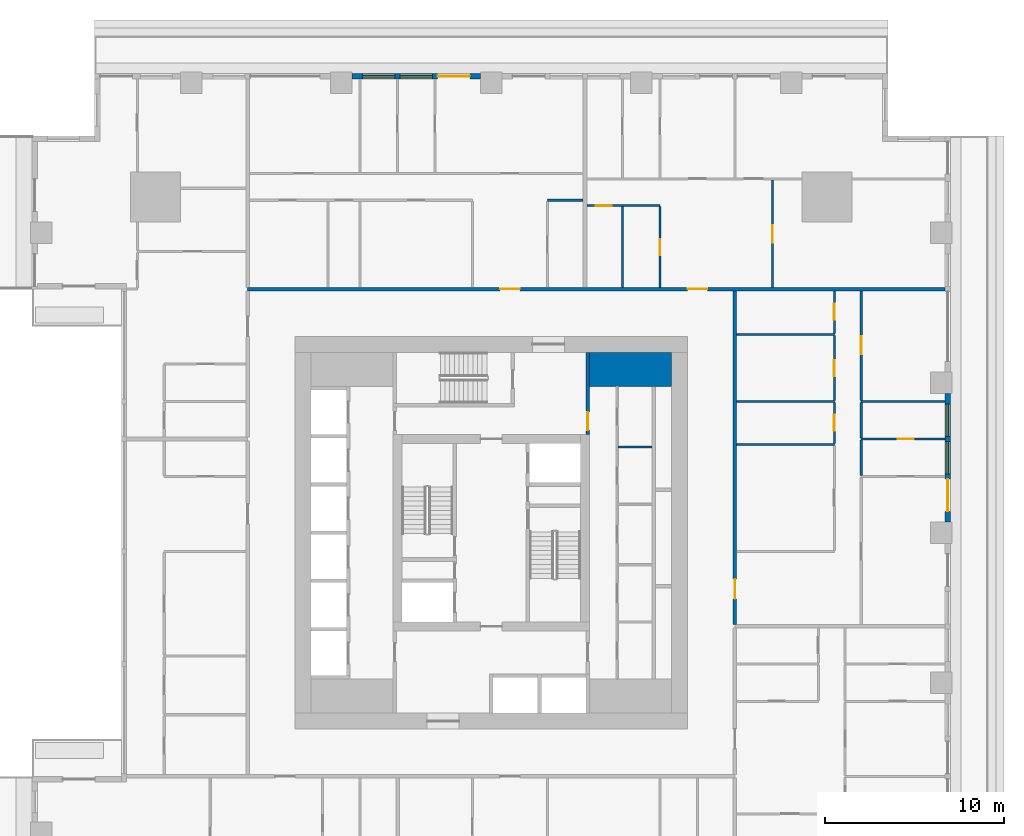
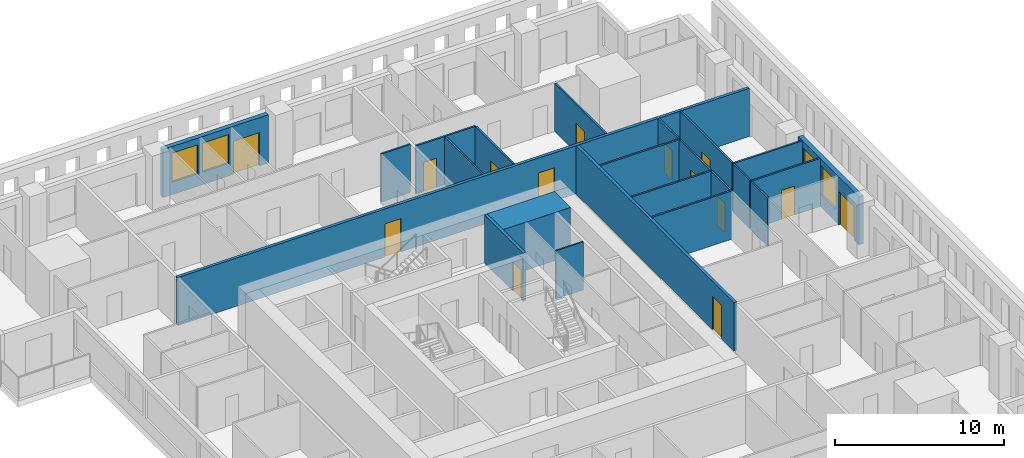
# One storey, part 8 of 15: 23 walls, 14 doors, 4 windows, 18 openings.
"""IFC4 building model written with IfcOpenShell, lengths in metres."""

from ifc_helpers import new_model, si_unit, direction, frame, frame_2d, origin, place, context, subcontext, project, spatial, rectangle, extrude, material, layer, layer_set, type_object, element, fill, save


model = new_model("IFC4")

# Units and contexts
model_context = context("Model", 3, precision=1e-05, world=origin(), true_north=direction((0.0, 1.0)))
body_context = subcontext(model_context, "Body", "Model", "MODEL_VIEW")
ifc_project = project(units=[si_unit("LENGTHUNIT", "METRE"), si_unit("AREAUNIT", "SQUARE_METRE"), si_unit("VOLUMEUNIT", "CUBIC_METRE"), si_unit("PLANEANGLEUNIT", "RADIAN"), si_unit("MASSUNIT", "GRAM", prefix="KILO")], contexts=[model_context])

# Site, building, storey
site_placement = place(None, origin())
site = spatial("IfcSite", under=ifc_project, at=site_placement, CompositionType="ELEMENT")
building_placement = place(site_placement, origin())
building = spatial("IfcBuilding", under=site, at=building_placement, Name="Khepri Terraces", CompositionType="ELEMENT")
storey_placement = place(building_placement, frame((0.0, 0.0, 118.199951171875)))
storey = spatial("IfcBuildingStorey", under=building, at=storey_placement, Name="L28", CompositionType="ELEMENT", Elevation=118.199951171875)

# Walls
ifc_material_1 = material(Name="Concrete C70/85", Category="concrete")
ifc_layer_1 = layer(ifc_material_1, 1.89990234375, Name="Concrete C70/85", Category="concrete")
ifc_layer_set_1 = layer_set([ifc_layer_1], Name="Concrete C70/85")
wall_type_1 = type_object("IfcWallType", Name="Core wall 1900 C70/85", PredefinedType="SHEAR", material=ifc_layer_set_1)
wall_1_placement = place(storey_placement, frame((5.5, 9.14990234375, 0.0), z_axis=(0.0, 0.0, 1.0), x_axis=(1.0, 0.0, 0.0)))
element("IfcWall", 1, at=wall_1_placement, inside=storey, type_object=wall_type_1, Name="Core wall PR04 L28", PredefinedType="SHEAR", context=body_context, shape_type="SweptSolid", body=[
    extrude(rectangle(XDim=4.60009765625, YDim=1.89990234375, at=frame_2d((2.300048828125, 0.0))), origin(), (0.0, 0.0, 1.0), 3.47998046875),
])
ifc_material_2 = material(Name="Fire-rated gypsum board partition")
ifc_layer_2 = layer(ifc_material_2, 0.10009765625, Name="Fire-rated gypsum board partition")
ifc_layer_set_2 = layer_set([ifc_layer_2], Name="Fire-rated gypsum board partition")
wall_type_2 = type_object("IfcWallType", Name="WL-CORE-PART-100", PredefinedType="PARTITIONING", material=ifc_layer_set_2)
wall_2_placement = place(storey_placement, frame((7.10009765625, 4.800048828125, 0.0), z_axis=(0.0, 0.0, 1.0), x_axis=(1.0, 0.0, 0.0)))
element("IfcWall", 2, at=wall_2_placement, inside=storey, type_object=wall_type_2, Name="Core partition PT07 L28", PredefinedType="PARTITIONING", context=body_context, shape_type="SweptSolid", body=[
    extrude(rectangle(XDim=1.89990234375, YDim=0.10009765625, at=frame_2d((0.949951171875, 0.0))), origin(), (0.0, 0.0, 1.0), 3.47998046875),
])

# Wall, opening, door
ifc_layer_3 = layer(ifc_material_2, 0.199951171875, Name="Fire-rated gypsum board partition")
ifc_layer_set_3 = layer_set([ifc_layer_3], Name="Fire-rated gypsum board partition")
wall_type_3 = type_object("IfcWallType", Name="WL-CORE-PART-200", PredefinedType="PARTITIONING", material=ifc_layer_set_3)
wall_3_placement = place(storey_placement, frame((5.39990234375, 5.5, 0.0), z_axis=(0.0, 0.0, 1.0), x_axis=(0.0, 1.0, 0.0)))
wall_3 = element("IfcWall", 3, at=wall_3_placement, inside=storey, type_object=wall_type_3, Name="Core partition PT09 L28", PredefinedType="PARTITIONING", context=body_context, shape_type="SweptSolid", body=[
    extrude(rectangle(XDim=4.60009765625, YDim=0.199951171875, at=frame_2d((2.300048828125, 0.0))), origin(), (0.0, 0.0, 1.0), 3.47998046875),
])
opening_1_placement = place(wall_3_placement, frame((0.25, 0.0, 0.0)))
opening_1 = element("IfcOpeningElement", 4, at=opening_1_placement, cuts=wall_3, Name="Opening L28-C17", PredefinedType="OPENING", context=body_context, shape_type="SweptSolid", body=[
    extrude(rectangle(XDim=1.0, YDim=2.10009765625, at=frame_2d((0.5, 1.050048828125))), frame((0.0, 0.10986328125, 0.0), z_axis=(0.0, -1.0, 0.0), x_axis=(1.0, 0.0, 0.0)), (0.0, 0.0, 1.0), 0.219970703125),
])
ifc_material_3 = material(Name="Painted steel", Category="steel")
door_type_1 = type_object("IfcDoorType", Name="DR-CORE-LOBBY-1000", OperationType="NOTDEFINED", PredefinedType="DOOR", material=ifc_material_3)
door_1_placement = place(opening_1_placement, origin())
door_1 = element("IfcDoor", 5, at=door_1_placement, inside=storey, type_object=door_type_1, Name="Lobby door L28-C17", OperationType="SINGLE_SWING_LEFT", OverallHeight=2.10009765625, OverallWidth=1.0, PredefinedType="DOOR", context=body_context, shape_type="SweptSolid", body=[
    extrude(rectangle(XDim=1.0, YDim=2.10009765625, at=frame_2d((0.5, 1.050048828125))), frame((0.0, 0.02490234375, 0.0), z_axis=(0.0, -1.0, 0.0), x_axis=(1.0, 0.0, 0.0)), (0.0, 0.0, 1.0), 0.050048828125),
])
fill(opening_1, door_1)

ifc_material_4 = material(Name="Fire-rated gypsum plasterboard partition, mineral wool")
ifc_layer_4 = layer(ifc_material_4, 0.199951171875, Name="Fire-rated gypsum plasterboard partition, mineral wool")
ifc_layer_set_4 = layer_set([ifc_layer_4], Name="Fire-rated gypsum plasterboard partition, mineral wool")
wall_type_4 = type_object("IfcWallType", Name="WL-CORR-200", PredefinedType="PARTITIONING", material=ifc_layer_set_4)
wall_4_placement = place(storey_placement, frame((13.64990234375, -5.14990234375, 0.0), z_axis=(0.0, 0.0, 1.0), x_axis=(0.0, 1.0, 0.0)))
wall_4 = element("IfcWall", 6, at=wall_4_placement, inside=storey, type_object=wall_type_4, Name="Partition P-044 L28", PredefinedType="PARTITIONING", context=body_context, shape_type="SweptSolid", body=[
    extrude(rectangle(XDim=18.699951171875, YDim=0.199951171875, at=frame_2d((9.35009765625, 0.0))), origin(), (0.0, 0.0, 1.0), 3.47998046875),
])
opening_2_placement = place(wall_4_placement, frame((1.449951171875, 0.0, 0.0)))
opening_2 = element("IfcOpeningElement", 7, at=opening_2_placement, cuts=wall_4, Name="Opening D1", PredefinedType="OPENING", context=body_context, shape_type="SweptSolid", body=[
    extrude(rectangle(XDim=1.10009765625, YDim=2.39990234375, at=frame_2d((0.550048828125, 1.199951171875))), frame((0.0, 0.10986328125, 0.0), z_axis=(0.0, -1.0, 0.0), x_axis=(1.0, 0.0, 0.0)), (0.0, 0.0, 1.0), 0.219970703125),
])
ifc_material_5 = material(Name="Solid-core timber door leaf, flat entrance door", Category="wood")
door_type_2 = type_object("IfcDoorType", Name="DR-ENT-1100", OperationType="NOTDEFINED", PredefinedType="DOOR", material=ifc_material_5)
door_2_placement = place(opening_2_placement, frame((1.10009765625, 0.0, 0.0), z_axis=(0.0, 0.0, 1.0), x_axis=(-1.0, 0.0, 0.0)))
door_2 = element("IfcDoor", 8, at=door_2_placement, inside=storey, type_object=door_type_2, Name="Flat B2 entrance door", OperationType="SINGLE_SWING_RIGHT", OverallHeight=2.39990234375, OverallWidth=1.10009765625, PredefinedType="DOOR", context=body_context, shape_type="SweptSolid", body=[
    extrude(rectangle(XDim=1.10009765625, YDim=2.39990234375, at=frame_2d((0.550048828125, 1.199951171875))), frame((0.0, 0.02490234375, 0.0), z_axis=(0.0, -1.0, 0.0), x_axis=(1.0, 0.0, 0.0)), (0.0, 0.0, 1.0), 0.050048828125),
])
fill(opening_2, door_2)

# Wall, openings, doors
wall_5_placement = place(storey_placement, frame((-13.64990234375, 13.64990234375, 0.0), z_axis=(0.0, 0.0, 1.0), x_axis=(1.0, 0.0, 0.0)))
wall_5 = element("IfcWall", 9, at=wall_5_placement, inside=storey, type_object=wall_type_4, Name="Partition P-070 L28", PredefinedType="PARTITIONING", context=body_context, shape_type="SweptSolid", body=[
    extrude(rectangle(XDim=39.06982421875, YDim=0.199951171875, at=frame_2d((19.534912109375, 0.0))), origin(), (0.0, 0.0, 1.0), 3.47998046875),
])
opening_3_placement = place(wall_5_placement, frame((24.64990234375, 0.0, 0.0)))
opening_3 = element("IfcOpeningElement", 10, at=opening_3_placement, cuts=wall_5, Name="Opening D1", PredefinedType="OPENING", context=body_context, shape_type="SweptSolid", body=[
    extrude(rectangle(XDim=1.10009765625, YDim=2.39990234375, at=frame_2d((0.550048828125, 1.199951171875))), frame((0.0, 0.10986328125, 0.0), z_axis=(0.0, -1.0, 0.0), x_axis=(1.0, 0.0, 0.0)), (0.0, 0.0, 1.0), 0.219970703125),
])
opening_4_placement = place(wall_5_placement, frame((14.14990234375, 0.0, 0.0)))
opening_4 = element("IfcOpeningElement", 11, at=opening_4_placement, cuts=wall_5, Name="Opening D1", PredefinedType="OPENING", context=body_context, shape_type="SweptSolid", body=[
    extrude(rectangle(XDim=1.10009765625, YDim=2.39990234375, at=frame_2d((0.550048828125, 1.199951171875))), frame((0.0, 0.10986328125, 0.0), z_axis=(0.0, -1.0, 0.0), x_axis=(1.0, 0.0, 0.0)), (0.0, 0.0, 1.0), 0.219970703125),
])
door_3_placement = place(opening_3_placement, origin())
door_3 = element("IfcDoor", 12, at=door_3_placement, inside=storey, type_object=door_type_2, Name="Flat C1 entrance door", OperationType="SINGLE_SWING_RIGHT", OverallHeight=2.39990234375, OverallWidth=1.10009765625, PredefinedType="DOOR", context=body_context, shape_type="SweptSolid", body=[
    extrude(rectangle(XDim=1.10009765625, YDim=2.39990234375, at=frame_2d((0.550048828125, 1.199951171875))), frame((0.0, 0.02490234375, 0.0), z_axis=(0.0, -1.0, 0.0), x_axis=(1.0, 0.0, 0.0)), (0.0, 0.0, 1.0), 0.050048828125),
])
fill(opening_3, door_3)
door_4_placement = place(opening_4_placement, origin())
door_4 = element("IfcDoor", 13, at=door_4_placement, inside=storey, type_object=door_type_2, Name="Flat C2 entrance door", OperationType="SINGLE_SWING_LEFT", OverallHeight=2.39990234375, OverallWidth=1.10009765625, PredefinedType="DOOR", context=body_context, shape_type="SweptSolid", body=[
    extrude(rectangle(XDim=1.10009765625, YDim=2.39990234375, at=frame_2d((0.550048828125, 1.199951171875))), frame((0.0, 0.02490234375, 0.0), z_axis=(0.0, -1.0, 0.0), x_axis=(1.0, 0.0, 0.0)), (0.0, 0.0, 1.0), 0.050048828125),
])
fill(opening_4, door_4)

# Wall, openings, door, windows
ifc_material_6 = material(Name="Precast concrete C50/60 warm stone", Category="masonry")
ifc_layer_5 = layer(ifc_material_6, 0.300048828125, Name="Precast concrete C50/60 warm stone", Category="masonry")
ifc_layer_set_5 = layer_set([ifc_layer_5], Name="Precast concrete C50/60 warm stone")
wall_type_5 = type_object("IfcWallType", Name="WL-EXT-PRECAST-300", PredefinedType="STANDARD", material=ifc_layer_set_5)
wall_6_placement = place(storey_placement, frame((25.570068359375, 0.60009765625, 0.0), z_axis=(0.0, 0.0, 1.0), x_axis=(0.0, 1.0, 0.0)))
wall_6 = element("IfcWall", 14, at=wall_6_placement, inside=storey, type_object=wall_type_5, Name="External wall L28 E", PredefinedType="STANDARD", context=body_context, shape_type="SweptSolid", body=[
    extrude(rectangle(XDim=7.199951171875, YDim=0.300048828125, at=frame_2d((3.60009765625, 0.0))), origin(), (0.0, 0.0, 1.0), 3.47998046875),
])
opening_5_placement = place(wall_6_placement, frame((0.60009765625, 0.0, 0.0)))
opening_5 = element("IfcOpeningElement", 15, at=opening_5_placement, cuts=wall_6, Name="Opening ED-L28-05", PredefinedType="OPENING", context=body_context, shape_type="SweptSolid", body=[
    extrude(rectangle(XDim=1.800048828125, YDim=2.39990234375, at=frame_2d((0.89990234375, 1.199951171875))), frame((0.0, 0.16015625, 0.0), z_axis=(0.0, -1.0, 0.0), x_axis=(1.0, 0.0, 0.0)), (0.0, 0.0, 1.0), 0.320068359375),
])
opening_6_placement = place(wall_6_placement, frame((2.699951171875, 0.0, 0.89990234375)))
opening_6 = element("IfcOpeningElement", 16, at=opening_6_placement, cuts=wall_6, Name="Opening W1", PredefinedType="OPENING", context=body_context, shape_type="SweptSolid", body=[
    extrude(rectangle(XDim=1.800048828125, YDim=2.10009765625, at=frame_2d((0.89990234375, 1.050048828125))), frame((0.0, 0.16015625, 0.0), z_axis=(0.0, -1.0, 0.0), x_axis=(1.0, 0.0, 0.0)), (0.0, 0.0, 1.0), 0.320068359375),
])
opening_7_placement = place(wall_6_placement, frame((4.800048828125, 0.0, 0.89990234375)))
opening_7 = element("IfcOpeningElement", 17, at=opening_7_placement, cuts=wall_6, Name="Opening W1", PredefinedType="OPENING", context=body_context, shape_type="SweptSolid", body=[
    extrude(rectangle(XDim=1.800048828125, YDim=2.10009765625, at=frame_2d((0.89990234375, 1.050048828125))), frame((0.0, 0.16015625, 0.0), z_axis=(0.0, -1.0, 0.0), x_axis=(1.0, 0.0, 0.0)), (0.0, 0.0, 1.0), 0.320068359375),
])
ifc_material_7 = material(Name="Anodised aluminium bronze glazed door", Category="aluminium")
door_type_3 = type_object("IfcDoorType", Name="DR-BAL-SLIDE-1800x2400", OperationType="NOTDEFINED", PredefinedType="DOOR", material=ifc_material_7)
door_5_placement = place(opening_5_placement, origin())
door_5 = element("IfcDoor", 18, at=door_5_placement, inside=storey, type_object=door_type_3, Name="Balcony door L28 E", OperationType="SLIDING_TO_LEFT", OverallHeight=2.39990234375, OverallWidth=1.800048828125, PredefinedType="DOOR", context=body_context, shape_type="SweptSolid", body=[
    extrude(rectangle(XDim=1.800048828125, YDim=2.39990234375, at=frame_2d((0.89990234375, 1.199951171875))), frame((0.0, 0.02490234375, 0.0), z_axis=(0.0, -1.0, 0.0), x_axis=(1.0, 0.0, 0.0)), (0.0, 0.0, 1.0), 0.050048828125),
])
fill(opening_5, door_5)
ifc_material_8 = material(Name="Clear glass", Category="glass")
window_type = type_object("IfcWindowType", Name="WIN-RES-1800x2100", PartitioningType="SINGLE_PANEL", PredefinedType="WINDOW", material=ifc_material_8)
window_1_placement = place(opening_6_placement, origin())
window_1 = element("IfcWindow", 19, at=window_1_placement, inside=storey, type_object=window_type, Name="Window L28 E", OverallHeight=2.10009765625, OverallWidth=1.800048828125, PartitioningType="SINGLE_PANEL", PredefinedType="WINDOW", context=body_context, shape_type="SweptSolid", body=[
    extrude(rectangle(XDim=1.800048828125, YDim=2.10009765625, at=frame_2d((0.89990234375, 1.050048828125))), frame((0.0, 0.030029296875, 0.0), z_axis=(0.0, -1.0, 0.0), x_axis=(1.0, 0.0, 0.0)), (0.0, 0.0, 1.0), 0.06005859375),
])
fill(opening_6, window_1)
window_2_placement = place(opening_7_placement, origin())
window_2 = element("IfcWindow", 20, at=window_2_placement, inside=storey, type_object=window_type, Name="Window L28 E", OverallHeight=2.10009765625, OverallWidth=1.800048828125, PartitioningType="SINGLE_PANEL", PredefinedType="WINDOW", context=body_context, shape_type="SweptSolid", body=[
    extrude(rectangle(XDim=1.800048828125, YDim=2.10009765625, at=frame_2d((0.89990234375, 1.050048828125))), frame((0.0, 0.030029296875, 0.0), z_axis=(0.0, -1.0, 0.0), x_axis=(1.0, 0.0, 0.0)), (0.0, 0.0, 1.0), 0.06005859375),
])
fill(opening_7, window_2)

wall_7_placement = place(storey_placement, frame((-0.60009765625, 25.570068359375, 0.0), z_axis=(0.0, 0.0, 1.0), x_axis=(-1.0, 0.0, 0.0)))
wall_7 = element("IfcWall", 21, at=wall_7_placement, inside=storey, type_object=wall_type_5, Name="External wall L28 N", PredefinedType="STANDARD", context=body_context, shape_type="SweptSolid", body=[
    extrude(rectangle(XDim=7.199951171875, YDim=0.300048828125, at=frame_2d((3.60009765625, 0.0))), origin(), (0.0, 0.0, 1.0), 3.47998046875),
])
opening_8_placement = place(wall_7_placement, frame((0.60009765625, 0.0, 0.0)))
opening_8 = element("IfcOpeningElement", 22, at=opening_8_placement, cuts=wall_7, Name="Opening ED-L28-12", PredefinedType="OPENING", context=body_context, shape_type="SweptSolid", body=[
    extrude(rectangle(XDim=1.800048828125, YDim=2.39990234375, at=frame_2d((0.89990234375, 1.199951171875))), frame((0.0, 0.16015625, 0.0), z_axis=(0.0, -1.0, 0.0), x_axis=(1.0, 0.0, 0.0)), (0.0, 0.0, 1.0), 0.320068359375),
])
opening_9_placement = place(wall_7_placement, frame((2.699951171875, 0.0, 0.89990234375)))
opening_9 = element("IfcOpeningElement", 23, at=opening_9_placement, cuts=wall_7, Name="Opening W1", PredefinedType="OPENING", context=body_context, shape_type="SweptSolid", body=[
    extrude(rectangle(XDim=1.800048828125, YDim=2.10009765625, at=frame_2d((0.89990234375, 1.050048828125))), frame((0.0, 0.16015625, 0.0), z_axis=(0.0, -1.0, 0.0), x_axis=(1.0, 0.0, 0.0)), (0.0, 0.0, 1.0), 0.320068359375),
])
opening_10_placement = place(wall_7_placement, frame((4.800048828125, 0.0, 0.89990234375)))
opening_10 = element("IfcOpeningElement", 24, at=opening_10_placement, cuts=wall_7, Name="Opening W1", PredefinedType="OPENING", context=body_context, shape_type="SweptSolid", body=[
    extrude(rectangle(XDim=1.800048828125, YDim=2.10009765625, at=frame_2d((0.89990234375, 1.050048828125))), frame((0.0, 0.16015625, 0.0), z_axis=(0.0, -1.0, 0.0), x_axis=(1.0, 0.0, 0.0)), (0.0, 0.0, 1.0), 0.320068359375),
])
door_6_placement = place(opening_8_placement, origin())
door_6 = element("IfcDoor", 25, at=door_6_placement, inside=storey, type_object=door_type_3, Name="Balcony door L28 N", OperationType="SLIDING_TO_LEFT", OverallHeight=2.39990234375, OverallWidth=1.800048828125, PredefinedType="DOOR", context=body_context, shape_type="SweptSolid", body=[
    extrude(rectangle(XDim=1.800048828125, YDim=2.39990234375, at=frame_2d((0.89990234375, 1.199951171875))), frame((0.0, 0.02490234375, 0.0), z_axis=(0.0, -1.0, 0.0), x_axis=(1.0, 0.0, 0.0)), (0.0, 0.0, 1.0), 0.050048828125),
])
fill(opening_8, door_6)
window_3_placement = place(opening_9_placement, origin())
window_3 = element("IfcWindow", 26, at=window_3_placement, inside=storey, type_object=window_type, Name="Window L28 N", OverallHeight=2.10009765625, OverallWidth=1.800048828125, PartitioningType="SINGLE_PANEL", PredefinedType="WINDOW", context=body_context, shape_type="SweptSolid", body=[
    extrude(rectangle(XDim=1.800048828125, YDim=2.10009765625, at=frame_2d((0.89990234375, 1.050048828125))), frame((0.0, 0.030029296875, 0.0), z_axis=(0.0, -1.0, 0.0), x_axis=(1.0, 0.0, 0.0)), (0.0, 0.0, 1.0), 0.06005859375),
])
fill(opening_9, window_3)
window_4_placement = place(opening_10_placement, origin())
window_4 = element("IfcWindow", 27, at=window_4_placement, inside=storey, type_object=window_type, Name="Window L28 N", OverallHeight=2.10009765625, OverallWidth=1.800048828125, PartitioningType="SINGLE_PANEL", PredefinedType="WINDOW", context=body_context, shape_type="SweptSolid", body=[
    extrude(rectangle(XDim=1.800048828125, YDim=2.10009765625, at=frame_2d((0.89990234375, 1.050048828125))), frame((0.0, 0.030029296875, 0.0), z_axis=(0.0, -1.0, 0.0), x_axis=(1.0, 0.0, 0.0)), (0.0, 0.0, 1.0), 0.06005859375),
])
fill(opening_10, window_4)

# Walls
ifc_material_9 = material(Name="Gypsum plasterboard partition")
ifc_layer_6 = layer(ifc_material_9, 0.1201171875, Name="Gypsum plasterboard partition")
ifc_layer_set_6 = layer_set([ifc_layer_6], Name="Gypsum plasterboard partition")
wall_type_6 = type_object("IfcWallType", Name="WL-PART-120", PredefinedType="PARTITIONING", material=ifc_layer_set_6)
wall_8_placement = place(storey_placement, frame((20.719970703125, 3.2099609375, 0.0), z_axis=(0.0, 0.0, 1.0), x_axis=(0.0, 1.0, 0.0)))
element("IfcWall", 28, at=wall_8_placement, inside=storey, type_object=wall_type_6, Name="Partition P-052 L28", PredefinedType="PARTITIONING", context=body_context, shape_type="SweptSolid", body=[
    extrude(rectangle(XDim=1.97998046875, YDim=0.1201171875, at=frame_2d((0.989990234375, 0.0))), origin(), (0.0, 0.0, 1.0), 3.47998046875),
])
wall_9_placement = place(storey_placement, frame((13.75, 4.949951171875, 0.0), z_axis=(0.0, 0.0, 1.0), x_axis=(1.0, 0.0, 0.0)))
element("IfcWall", 29, at=wall_9_placement, inside=storey, type_object=wall_type_6, Name="Partition P-053 L28", PredefinedType="PARTITIONING", context=body_context, shape_type="SweptSolid", body=[
    extrude(rectangle(XDim=5.469970703125, YDim=0.1201171875, at=frame_2d((2.73486328125, 0.0))), origin(), (0.0, 0.0, 1.0), 3.47998046875),
])

# Wall, opening, door
wall_10_placement = place(storey_placement, frame((19.219970703125, 5.010009765625, 0.0), z_axis=(0.0, 0.0, 1.0), x_axis=(0.0, 1.0, 0.0)))
wall_10 = element("IfcWall", 30, at=wall_10_placement, inside=storey, type_object=wall_type_6, Name="Partition P-054 L28", PredefinedType="PARTITIONING", context=body_context, shape_type="SweptSolid", body=[
    extrude(rectangle(XDim=2.280029296875, YDim=0.1201171875, at=frame_2d((1.14013671875, 0.0))), origin(), (0.0, 0.0, 1.0), 3.47998046875),
])
opening_11_placement = place(wall_10_placement, frame((0.68994140625, 0.0, 0.0)))
opening_11 = element("IfcOpeningElement", 31, at=opening_11_placement, cuts=wall_10, Name="Opening D4", PredefinedType="OPENING", context=body_context, shape_type="SweptSolid", body=[
    extrude(rectangle(XDim=0.89990234375, YDim=2.10009765625, at=frame_2d((0.449951171875, 1.050048828125))), frame((0.0, 0.070068359375, 0.0), z_axis=(0.0, -1.0, 0.0), x_axis=(1.0, 0.0, 0.0)), (0.0, 0.0, 1.0), 0.14013671875),
])
ifc_material_10 = material(Name="Timber door leaf, moisture resistant", Category="wood")
door_type_4 = type_object("IfcDoorType", Name="DR-WET-900", OperationType="NOTDEFINED", PredefinedType="DOOR", material=ifc_material_10)
door_7_placement = place(opening_11_placement, origin())
door_7 = element("IfcDoor", 32, at=door_7_placement, inside=storey, type_object=door_type_4, Name="Door Guest Bathroom", OperationType="SINGLE_SWING_RIGHT", OverallHeight=2.10009765625, OverallWidth=0.89990234375, PredefinedType="DOOR", context=body_context, shape_type="SweptSolid", body=[
    extrude(rectangle(XDim=0.89990234375, YDim=2.10009765625, at=frame_2d((0.449951171875, 1.050048828125))), frame((0.0, 0.02490234375, 0.0), z_axis=(0.0, -1.0, 0.0), x_axis=(1.0, 0.0, 0.0)), (0.0, 0.0, 1.0), 0.050048828125),
])
fill(opening_11, door_7)

wall_11_placement = place(storey_placement, frame((20.719970703125, 5.25, 0.0), z_axis=(0.0, 0.0, 1.0), x_axis=(1.0, 0.0, 0.0)))
wall_11 = element("IfcWall", 33, at=wall_11_placement, inside=storey, type_object=wall_type_6, Name="Partition P-056 L28", PredefinedType="PARTITIONING", context=body_context, shape_type="SweptSolid", body=[
    extrude(rectangle(XDim=4.699951171875, YDim=0.1201171875, at=frame_2d((2.35009765625, 0.0))), origin(), (0.0, 0.0, 1.0), 3.47998046875),
])
opening_12_placement = place(wall_11_placement, frame((2.050048828125, 0.0, 0.0)))
opening_12 = element("IfcOpeningElement", 34, at=opening_12_placement, cuts=wall_11, Name="Opening D4", PredefinedType="OPENING", context=body_context, shape_type="SweptSolid", body=[
    extrude(rectangle(XDim=0.89990234375, YDim=2.10009765625, at=frame_2d((0.449951171875, 1.050048828125))), frame((0.0, 0.070068359375, 0.0), z_axis=(0.0, -1.0, 0.0), x_axis=(1.0, 0.0, 0.0)), (0.0, 0.0, 1.0), 0.14013671875),
])
door_8_placement = place(opening_12_placement, origin())
door_8 = element("IfcDoor", 35, at=door_8_placement, inside=storey, type_object=door_type_4, Name="Door Bathroom", OperationType="SINGLE_SWING_RIGHT", OverallHeight=2.10009765625, OverallWidth=0.89990234375, PredefinedType="DOOR", context=body_context, shape_type="SweptSolid", body=[
    extrude(rectangle(XDim=0.89990234375, YDim=2.10009765625, at=frame_2d((0.449951171875, 1.050048828125))), frame((0.0, 0.02490234375, 0.0), z_axis=(0.0, -1.0, 0.0), x_axis=(1.0, 0.0, 0.0)), (0.0, 0.0, 1.0), 0.050048828125),
])
fill(opening_12, door_8)

# Walls
wall_12_placement = place(storey_placement, frame((20.719970703125, 5.31005859375, 0.0), z_axis=(0.0, 0.0, 1.0), x_axis=(0.0, 1.0, 0.0)))
element("IfcWall", 36, at=wall_12_placement, inside=storey, type_object=wall_type_6, Name="Partition P-057 L28", PredefinedType="PARTITIONING", context=body_context, shape_type="SweptSolid", body=[
    extrude(rectangle(XDim=1.97998046875, YDim=0.1201171875, at=frame_2d((0.989990234375, 0.0))), origin(), (0.0, 0.0, 1.0), 3.47998046875),
])
wall_13_placement = place(storey_placement, frame((13.75, 7.35009765625, 0.0), z_axis=(0.0, 0.0, 1.0), x_axis=(1.0, 0.0, 0.0)))
element("IfcWall", 37, at=wall_13_placement, inside=storey, type_object=wall_type_6, Name="Partition P-061 L28", PredefinedType="PARTITIONING", context=body_context, shape_type="SweptSolid", body=[
    extrude(rectangle(XDim=5.469970703125, YDim=0.1201171875, at=frame_2d((2.73486328125, 0.0))), origin(), (0.0, 0.0, 1.0), 3.47998046875),
])
wall_14_placement = place(storey_placement, frame((20.719970703125, 7.35009765625, 0.0), z_axis=(0.0, 0.0, 1.0), x_axis=(1.0, 0.0, 0.0)))
element("IfcWall", 38, at=wall_14_placement, inside=storey, type_object=wall_type_6, Name="Partition P-062 L28", PredefinedType="PARTITIONING", context=body_context, shape_type="SweptSolid", body=[
    extrude(rectangle(XDim=4.699951171875, YDim=0.1201171875, at=frame_2d((2.35009765625, 0.0))), origin(), (0.0, 0.0, 1.0), 3.47998046875),
])

# Wall, opening, door
wall_15_placement = place(storey_placement, frame((19.219970703125, 7.409912109375, 0.0), z_axis=(0.0, 0.0, 1.0), x_axis=(0.0, 1.0, 0.0)))
wall_15 = element("IfcWall", 39, at=wall_15_placement, inside=storey, type_object=wall_type_6, Name="Partition P-064 L28", PredefinedType="PARTITIONING", context=body_context, shape_type="SweptSolid", body=[
    extrude(rectangle(XDim=3.630126953125, YDim=0.1201171875, at=frame_2d((1.81494140625, 0.0))), origin(), (0.0, 0.0, 1.0), 3.47998046875),
])
opening_13_placement = place(wall_15_placement, frame((1.364990234375, 0.0, 0.0)))
opening_13 = element("IfcOpeningElement", 40, at=opening_13_placement, cuts=wall_15, Name="Opening D3", PredefinedType="OPENING", context=body_context, shape_type="SweptSolid", body=[
    extrude(rectangle(XDim=0.89990234375, YDim=2.10009765625, at=frame_2d((0.449951171875, 1.050048828125))), frame((0.0, 0.070068359375, 0.0), z_axis=(0.0, -1.0, 0.0), x_axis=(1.0, 0.0, 0.0)), (0.0, 0.0, 1.0), 0.14013671875),
])
ifc_material_11 = material(Name="Timber door leaf", Category="wood")
door_type_5 = type_object("IfcDoorType", Name="DR-INT-900", OperationType="NOTDEFINED", PredefinedType="DOOR", material=ifc_material_11)
door_9_placement = place(opening_13_placement, origin())
door_9 = element("IfcDoor", 41, at=door_9_placement, inside=storey, type_object=door_type_5, Name="Door Utility Room", OperationType="SINGLE_SWING_RIGHT", OverallHeight=2.10009765625, OverallWidth=0.89990234375, PredefinedType="DOOR", context=body_context, shape_type="SweptSolid", body=[
    extrude(rectangle(XDim=0.89990234375, YDim=2.10009765625, at=frame_2d((0.449951171875, 1.050048828125))), frame((0.0, 0.02490234375, 0.0), z_axis=(0.0, -1.0, 0.0), x_axis=(1.0, 0.0, 0.0)), (0.0, 0.0, 1.0), 0.050048828125),
])
fill(opening_13, door_9)

wall_16_placement = place(storey_placement, frame((20.719970703125, 7.409912109375, 0.0), z_axis=(0.0, 0.0, 1.0), x_axis=(0.0, 1.0, 0.0)))
wall_16 = element("IfcWall", 42, at=wall_16_placement, inside=storey, type_object=wall_type_6, Name="Partition P-065 L28", PredefinedType="PARTITIONING", context=body_context, shape_type="SweptSolid", body=[
    extrude(rectangle(XDim=6.14013671875, YDim=0.1201171875, at=frame_2d((3.070068359375, 0.0))), origin(), (0.0, 0.0, 1.0), 3.47998046875),
])
opening_14_placement = place(wall_16_placement, frame((2.590087890625, 0.0, 0.0)))
opening_14 = element("IfcOpeningElement", 43, at=opening_14_placement, cuts=wall_16, Name="Opening D2", PredefinedType="OPENING", context=body_context, shape_type="SweptSolid", body=[
    extrude(rectangle(XDim=1.0, YDim=2.10009765625, at=frame_2d((0.5, 1.050048828125))), frame((0.0, 0.070068359375, 0.0), z_axis=(0.0, -1.0, 0.0), x_axis=(1.0, 0.0, 0.0)), (0.0, 0.0, 1.0), 0.14013671875),
])
ifc_material_12 = material(Name="Timber door leaf, living room door", Category="wood")
door_type_6 = type_object("IfcDoorType", Name="DR-INT-1000", OperationType="NOTDEFINED", PredefinedType="DOOR", material=ifc_material_12)
door_10_placement = place(opening_14_placement, frame((1.0, 0.0, 0.0), z_axis=(0.0, 0.0, 1.0), x_axis=(-1.0, 0.0, 0.0)))
door_10 = element("IfcDoor", 44, at=door_10_placement, inside=storey, type_object=door_type_6, Name="Door Living Room", OperationType="SINGLE_SWING_LEFT", OverallHeight=2.10009765625, OverallWidth=1.0, PredefinedType="DOOR", context=body_context, shape_type="SweptSolid", body=[
    extrude(rectangle(XDim=1.0, YDim=2.10009765625, at=frame_2d((0.5, 1.050048828125))), frame((0.0, 0.02490234375, 0.0), z_axis=(0.0, -1.0, 0.0), x_axis=(1.0, 0.0, 0.0)), (0.0, 0.0, 1.0), 0.050048828125),
])
fill(opening_14, door_10)

# Wall
wall_17_placement = place(storey_placement, frame((13.75, 11.10009765625, 0.0), z_axis=(0.0, 0.0, 1.0), x_axis=(1.0, 0.0, 0.0)))
element("IfcWall", 45, at=wall_17_placement, inside=storey, type_object=wall_type_6, Name="Partition P-067 L28", PredefinedType="PARTITIONING", context=body_context, shape_type="SweptSolid", body=[
    extrude(rectangle(XDim=5.469970703125, YDim=0.1201171875, at=frame_2d((2.73486328125, 0.0))), origin(), (0.0, 0.0, 1.0), 3.47998046875),
])

# Wall, opening, door
wall_18_placement = place(storey_placement, frame((19.219970703125, 11.159912109375, 0.0), z_axis=(0.0, 0.0, 1.0), x_axis=(0.0, 1.0, 0.0)))
wall_18 = element("IfcWall", 46, at=wall_18_placement, inside=storey, type_object=wall_type_6, Name="Partition P-068 L28", PredefinedType="PARTITIONING", context=body_context, shape_type="SweptSolid", body=[
    extrude(rectangle(XDim=2.39013671875, YDim=0.1201171875, at=frame_2d((1.195068359375, 0.0))), origin(), (0.0, 0.0, 1.0), 3.47998046875),
])
opening_15_placement = place(wall_18_placement, frame((0.764892578125, 0.0, 0.0)))
opening_15 = element("IfcOpeningElement", 47, at=opening_15_placement, cuts=wall_18, Name="Opening D3", PredefinedType="OPENING", context=body_context, shape_type="SweptSolid", body=[
    extrude(rectangle(XDim=0.89990234375, YDim=2.10009765625, at=frame_2d((0.449951171875, 1.050048828125))), frame((0.0, 0.070068359375, 0.0), z_axis=(0.0, -1.0, 0.0), x_axis=(1.0, 0.0, 0.0)), (0.0, 0.0, 1.0), 0.14013671875),
])
door_11_placement = place(opening_15_placement, origin())
door_11 = element("IfcDoor", 48, at=door_11_placement, inside=storey, type_object=door_type_5, Name="Door Utility Room", OperationType="SINGLE_SWING_RIGHT", OverallHeight=2.10009765625, OverallWidth=0.89990234375, PredefinedType="DOOR", context=body_context, shape_type="SweptSolid", body=[
    extrude(rectangle(XDim=0.89990234375, YDim=2.10009765625, at=frame_2d((0.449951171875, 1.050048828125))), frame((0.0, 0.02490234375, 0.0), z_axis=(0.0, -1.0, 0.0), x_axis=(1.0, 0.0, 0.0)), (0.0, 0.0, 1.0), 0.050048828125),
])
fill(opening_15, door_11)

# Wall
wall_19_placement = place(storey_placement, frame((7.35009765625, 13.75, 0.0), z_axis=(0.0, 0.0, 1.0), x_axis=(0.0, 1.0, 0.0)))
element("IfcWall", 49, at=wall_19_placement, inside=storey, type_object=wall_type_6, Name="Partition P-078 L28", PredefinedType="PARTITIONING", context=body_context, shape_type="SweptSolid", body=[
    extrude(rectangle(XDim=4.510009765625, YDim=0.1201171875, at=frame_2d((2.2548828125, 0.0))), origin(), (0.0, 0.0, 1.0), 3.47998046875),
])

# Wall, opening, door
wall_20_placement = place(storey_placement, frame((9.449951171875, 13.75, 0.0), z_axis=(0.0, 0.0, 1.0), x_axis=(0.0, 1.0, 0.0)))
wall_20 = element("IfcWall", 50, at=wall_20_placement, inside=storey, type_object=wall_type_6, Name="Partition P-079 L28", PredefinedType="PARTITIONING", context=body_context, shape_type="SweptSolid", body=[
    extrude(rectangle(XDim=4.510009765625, YDim=0.1201171875, at=frame_2d((2.2548828125, 0.0))), origin(), (0.0, 0.0, 1.0), 3.47998046875),
])
opening_16_placement = place(wall_20_placement, frame((1.784912109375, 0.0, 0.0)))
opening_16 = element("IfcOpeningElement", 51, at=opening_16_placement, cuts=wall_20, Name="Opening D4", PredefinedType="OPENING", context=body_context, shape_type="SweptSolid", body=[
    extrude(rectangle(XDim=0.89990234375, YDim=2.10009765625, at=frame_2d((0.449951171875, 1.050048828125))), frame((0.0, 0.070068359375, 0.0), z_axis=(0.0, -1.0, 0.0), x_axis=(1.0, 0.0, 0.0)), (0.0, 0.0, 1.0), 0.14013671875),
])
door_12_placement = place(opening_16_placement, origin())
door_12 = element("IfcDoor", 52, at=door_12_placement, inside=storey, type_object=door_type_4, Name="Door Guest Bathroom", OperationType="SINGLE_SWING_LEFT", OverallHeight=2.10009765625, OverallWidth=0.89990234375, PredefinedType="DOOR", context=body_context, shape_type="SweptSolid", body=[
    extrude(rectangle(XDim=0.89990234375, YDim=2.10009765625, at=frame_2d((0.449951171875, 1.050048828125))), frame((0.0, 0.02490234375, 0.0), z_axis=(0.0, -1.0, 0.0), x_axis=(1.0, 0.0, 0.0)), (0.0, 0.0, 1.0), 0.050048828125),
])
fill(opening_16, door_12)

wall_21_placement = place(storey_placement, frame((15.75, 13.75, 0.0), z_axis=(0.0, 0.0, 1.0), x_axis=(0.0, 1.0, 0.0)))
wall_21 = element("IfcWall", 53, at=wall_21_placement, inside=storey, type_object=wall_type_6, Name="Partition P-080 L28", PredefinedType="PARTITIONING", context=body_context, shape_type="SweptSolid", body=[
    extrude(rectangle(XDim=6.010009765625, YDim=0.1201171875, at=frame_2d((3.0048828125, 0.0))), origin(), (0.0, 0.0, 1.0), 3.47998046875),
])
opening_17_placement = place(wall_21_placement, frame((2.485107421875, 0.0, 0.0)))
opening_17 = element("IfcOpeningElement", 54, at=opening_17_placement, cuts=wall_21, Name="Opening D2", PredefinedType="OPENING", context=body_context, shape_type="SweptSolid", body=[
    extrude(rectangle(XDim=1.0, YDim=2.10009765625, at=frame_2d((0.5, 1.050048828125))), frame((0.0, 0.070068359375, 0.0), z_axis=(0.0, -1.0, 0.0), x_axis=(1.0, 0.0, 0.0)), (0.0, 0.0, 1.0), 0.14013671875),
])
door_13_placement = place(opening_17_placement, frame((1.0, 0.0, 0.0), z_axis=(0.0, 0.0, 1.0), x_axis=(-1.0, 0.0, 0.0)))
door_13 = element("IfcDoor", 55, at=door_13_placement, inside=storey, type_object=door_type_6, Name="Door Family Room", OperationType="SINGLE_SWING_RIGHT", OverallHeight=2.10009765625, OverallWidth=1.0, PredefinedType="DOOR", context=body_context, shape_type="SweptSolid", body=[
    extrude(rectangle(XDim=1.0, YDim=2.10009765625, at=frame_2d((0.5, 1.050048828125))), frame((0.0, 0.02490234375, 0.0), z_axis=(0.0, -1.0, 0.0), x_axis=(1.0, 0.0, 0.0)), (0.0, 0.0, 1.0), 0.050048828125),
])
fill(opening_17, door_13)

wall_22_placement = place(storey_placement, frame((5.35009765625, 18.320068359375, 0.0), z_axis=(0.0, 0.0, 1.0), x_axis=(1.0, 0.0, 0.0)))
wall_22 = element("IfcWall", 56, at=wall_22_placement, inside=storey, type_object=wall_type_6, Name="Partition P-083 L28", PredefinedType="PARTITIONING", context=body_context, shape_type="SweptSolid", body=[
    extrude(rectangle(XDim=4.099853515625, YDim=0.1201171875, at=frame_2d((2.0498046875, 0.0))), origin(), (0.0, 0.0, 1.0), 3.47998046875),
])
opening_18_placement = place(wall_22_placement, frame((0.5, 0.0, 0.0)))
opening_18 = element("IfcOpeningElement", 57, at=opening_18_placement, cuts=wall_22, Name="Opening D3", PredefinedType="OPENING", context=body_context, shape_type="SweptSolid", body=[
    extrude(rectangle(XDim=0.89990234375, YDim=2.10009765625, at=frame_2d((0.449951171875, 1.050048828125))), frame((0.0, 0.070068359375, 0.0), z_axis=(0.0, -1.0, 0.0), x_axis=(1.0, 0.0, 0.0)), (0.0, 0.0, 1.0), 0.14013671875),
])
door_14_placement = place(opening_18_placement, frame((0.89990234375, 0.0, 0.0), z_axis=(0.0, 0.0, 1.0), x_axis=(-1.0, 0.0, 0.0)))
door_14 = element("IfcDoor", 58, at=door_14_placement, inside=storey, type_object=door_type_5, Name="Door Kitchen", OperationType="SINGLE_SWING_RIGHT", OverallHeight=2.10009765625, OverallWidth=0.89990234375, PredefinedType="DOOR", context=body_context, shape_type="SweptSolid", body=[
    extrude(rectangle(XDim=0.89990234375, YDim=2.10009765625, at=frame_2d((0.449951171875, 1.050048828125))), frame((0.0, 0.02490234375, 0.0), z_axis=(0.0, -1.0, 0.0), x_axis=(1.0, 0.0, 0.0)), (0.0, 0.0, 1.0), 0.050048828125),
])
fill(opening_18, door_14)

# Wall
wall_23_placement = place(storey_placement, frame((3.14990234375, 18.6201171875, 0.0), z_axis=(0.0, 0.0, 1.0), x_axis=(1.0, 0.0, 0.0)))
element("IfcWall", 59, at=wall_23_placement, inside=storey, type_object=wall_type_6, Name="Partition P-085 L28", PredefinedType="PARTITIONING", context=body_context, shape_type="SweptSolid", body=[
    extrude(rectangle(XDim=2.0, YDim=0.1201171875, at=frame_2d((1.0, 0.0))), origin(), (0.0, 0.0, 1.0), 3.47998046875),
])

save(model, "model.ifc")
